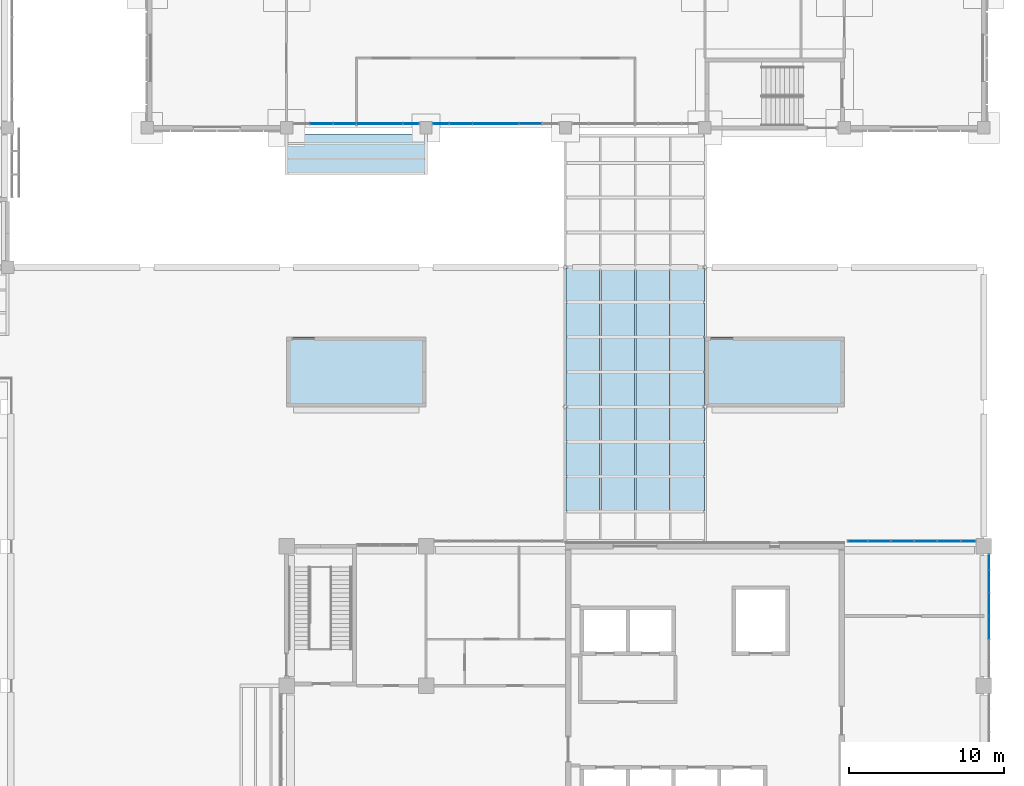
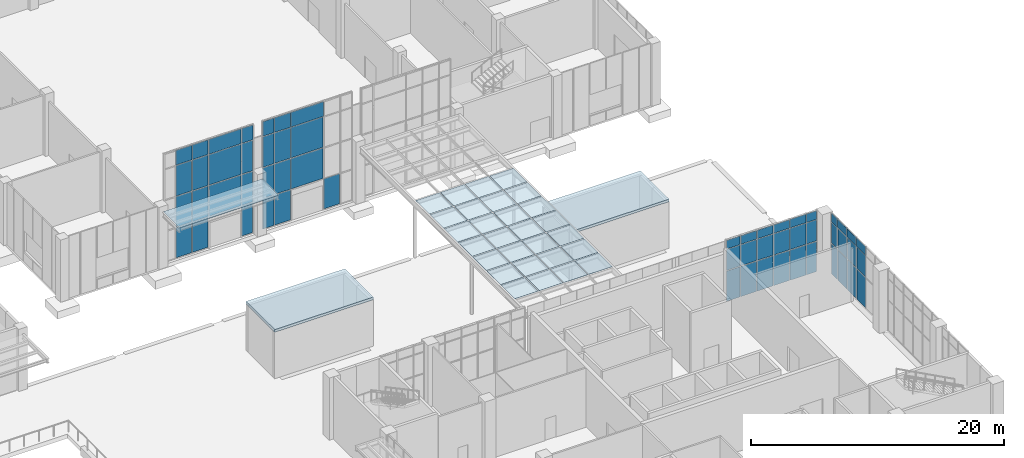
# One storey, part 48 of 86: 86 plates, 2 slabs, 4 elements without a shape of their own.
"""IFC4 building model written with IfcOpenShell, lengths in metres."""

from ifc_helpers import new_model, si_unit, direction, frame, origin, origin_2d, place, context, subcontext, project, spatial, polyline, rectangle, outline, extrude, material, layer, layer_set, type_object, element, aggregate, save


model = new_model("IFC4")

# Units and contexts
model_context = context("Model", 3, precision=1e-05, world=origin(), true_north=direction((0.0, 1.0)))
body_context = subcontext(model_context, "Body", "Model", "MODEL_VIEW")
ifc_project = project(units=[si_unit("LENGTHUNIT", "METRE"), si_unit("AREAUNIT", "SQUARE_METRE"), si_unit("VOLUMEUNIT", "CUBIC_METRE"), si_unit("PLANEANGLEUNIT", "RADIAN"), si_unit("MASSUNIT", "GRAM", prefix="KILO")], contexts=[model_context])

# Site, building, storey
site_placement = place(None, origin())
site = spatial("IfcSite", under=ifc_project, at=site_placement, CompositionType="ELEMENT")
building_placement = place(site_placement, origin())
building = spatial("IfcBuilding", under=site, at=building_placement, Name="Guidao Yard Department Store", CompositionType="ELEMENT")
storey_placement = place(building_placement, origin())
storey = spatial("IfcBuildingStorey", under=building, at=storey_placement, Name="L00", CompositionType="ELEMENT", Elevation=0.0)

# Plates
ifc_material_1 = material(Name="Laminated glass", Category="glass")
ifc_layer_1 = layer(ifc_material_1, 0.021484375)
ifc_layer_set_1 = layer_set([ifc_layer_1], Name="Canopy glass CG1 laminated 10+10")
plate_type_1 = type_object("IfcPlateType", Name="Canopy glass CG1 laminated 10+10", PredefinedType="SHEET", material=ifc_layer_set_1)
plate_1_placement = place(storey_placement, frame((130.5, 52.300048828125, 5.449951171875), z_axis=(0.0, 0.0, 1.0), x_axis=(1.0, 0.0, 0.0)))
element("IfcPlate", 1, at=plate_1_placement, inside=storey, type_object=plate_type_1, Name="Food hall canopy glazing 1.1", PredefinedType="SHEET", context=body_context, shape_type="SweptSolid", body=[
    extrude(rectangle(XDim=8.989990234375, YDim=2.60009765625, at=origin_2d()), origin(), (0.0, 0.0, 1.0), 0.021484375),
])
for number, where, z_axis, x_axis, name in (
    (2, (145.125, 30.375, 5.449951171875), (0.0, 0.0, 1.0), (1.0, 0.0, 0.0), "Yard walkway glazing 1.2"),
    (3, (145.125, 32.625, 5.449951171875), (0.0, 0.0, 1.0), (1.0, 0.0, 0.0), "Yard walkway glazing 1.3"),
    (4, (145.125, 34.875, 5.449951171875), (0.0, 0.0, 1.0), (1.0, 0.0, 0.0), "Yard walkway glazing 1.4"),
    (5, (145.125, 37.125, 5.449951171875), (0.0, 0.0, 1.0), (1.0, 0.0, 0.0), "Yard walkway glazing 1.5"),
    (6, (145.125, 39.375, 5.449951171875), (0.0, 0.0, 1.0), (1.0, 0.0, 0.0), "Yard walkway glazing 1.6"),
    (7, (145.125, 41.625, 5.449951171875), (0.0, 0.0, 1.0), (1.0, 0.0, 0.0), "Yard walkway glazing 1.7"),
    (8, (145.125, 43.875, 5.449951171875), (0.0, 0.0, 1.0), (1.0, 0.0, 0.0), "Yard walkway glazing 1.8"),
    (9, (147.375, 30.375, 5.449951171875), (0.0, 0.0, 1.0), (1.0, 0.0, 0.0), "Yard walkway glazing 2.2"),
    (10, (147.375, 32.625, 5.449951171875), (0.0, 0.0, 1.0), (1.0, 0.0, 0.0), "Yard walkway glazing 2.3"),
    (11, (147.375, 34.875, 5.449951171875), (0.0, 0.0, 1.0), (1.0, 0.0, 0.0), "Yard walkway glazing 2.4"),
    (12, (147.375, 37.125, 5.449951171875), (0.0, 0.0, 1.0), (1.0, 0.0, 0.0), "Yard walkway glazing 2.5"),
    (13, (147.375, 39.375, 5.449951171875), (0.0, 0.0, 1.0), (1.0, 0.0, 0.0), "Yard walkway glazing 2.6"),
    (14, (147.375, 41.625, 5.449951171875), (0.0, 0.0, 1.0), (1.0, 0.0, 0.0), "Yard walkway glazing 2.7"),
    (15, (147.375, 43.875, 5.449951171875), (0.0, 0.0, 1.0), (1.0, 0.0, 0.0), "Yard walkway glazing 2.8"),
    (16, (149.625, 30.375, 5.449951171875), (0.0, 0.0, 1.0), (1.0, 0.0, 0.0), "Yard walkway glazing 3.2"),
    (17, (149.625, 32.625, 5.449951171875), (0.0, 0.0, 1.0), (1.0, 0.0, 0.0), "Yard walkway glazing 3.3"),
    (18, (149.625, 34.875, 5.449951171875), (0.0, 0.0, 1.0), (1.0, 0.0, 0.0), "Yard walkway glazing 3.4"),
    (19, (149.625, 37.125, 5.449951171875), (0.0, 0.0, 1.0), (1.0, 0.0, 0.0), "Yard walkway glazing 3.5"),
    (20, (149.625, 39.375, 5.449951171875), (0.0, 0.0, 1.0), (1.0, 0.0, 0.0), "Yard walkway glazing 3.6"),
    (21, (149.625, 41.625, 5.449951171875), (0.0, 0.0, 1.0), (1.0, 0.0, 0.0), "Yard walkway glazing 3.7"),
    (22, (149.625, 43.875, 5.449951171875), (0.0, 0.0, 1.0), (1.0, 0.0, 0.0), "Yard walkway glazing 3.8"),
    (23, (151.875, 30.375, 5.449951171875), (0.0, 0.0, 1.0), (1.0, 0.0, 0.0), "Yard walkway glazing 4.2"),
    (24, (151.875, 32.625, 5.449951171875), (0.0, 0.0, 1.0), (1.0, 0.0, 0.0), "Yard walkway glazing 4.3"),
    (25, (151.875, 34.875, 5.449951171875), (0.0, 0.0, 1.0), (1.0, 0.0, 0.0), "Yard walkway glazing 4.4"),
    (26, (151.875, 37.125, 5.449951171875), (0.0, 0.0, 1.0), (1.0, 0.0, 0.0), "Yard walkway glazing 4.5"),
    (27, (151.875, 39.375, 5.449951171875), (0.0, 0.0, 1.0), (1.0, 0.0, 0.0), "Yard walkway glazing 4.6"),
    (28, (151.875, 41.625, 5.449951171875), (0.0, 0.0, 1.0), (1.0, 0.0, 0.0), "Yard walkway glazing 4.7"),
    (29, (151.875, 43.875, 5.449951171875), (0.0, 0.0, 1.0), (1.0, 0.0, 0.0), "Yard walkway glazing 4.8"),
):
    element("IfcPlate", number, at=place(storey_placement, frame(where, z_axis=z_axis, x_axis=x_axis)), inside=storey, type_object=plate_type_1, Name=name, PredefinedType="SHEET", context=body_context, shape_type="SweptSolid", body=[
        extrude(rectangle(XDim=2.169921875, YDim=2.169921875, at=origin_2d()), origin(), (0.0, 0.0, 1.0), 0.021484375),
    ])

# Slabs
ifc_material_2 = material(Name="Concrete C35", Category="concrete")
ifc_layer_2 = layer(ifc_material_2, 0.25)
ifc_layer_set_2 = layer_set([ifc_layer_2], Name="Roof slab RC 250 C35 head house")
slab_type = type_object("IfcSlabType", Name="Roof slab RC 250 C35 head house", PredefinedType="ROOF", material=ifc_layer_set_2)
slab_1_placement = place(storey_placement, frame((0.0, 0.0, 4.5)))
element("IfcSlab", 30, at=slab_1_placement, inside=storey, type_object=slab_type, Name="Basement stair Y1 head roof", PredefinedType="ROOF", context=body_context, shape_type="SweptSolid", body=[
    extrude(outline(polyline([(126.0, 36.0), (135.0, 36.0), (135.0, 40.5), (126.0, 40.5), (126.0, 36.0)])), origin(), (0.0, 0.0, 1.0), 0.25),
])
slab_2_placement = place(storey_placement, frame((0.0, 0.0, 4.5)))
element("IfcSlab", 31, at=slab_2_placement, inside=storey, type_object=slab_type, Name="Basement stair Y2 head roof", PredefinedType="ROOF", context=body_context, shape_type="SweptSolid", body=[
    extrude(outline(polyline([(153.0, 36.0), (162.0, 36.0), (162.0, 40.5), (153.0, 40.5), (153.0, 36.0)])), origin(), (0.0, 0.0, 1.0), 0.25),
])

# Curtain wall, plates
ifc_material_3 = material(Name="Stainless steel and glass", Category="steel")
ifc_layer_3 = layer(ifc_material_3, 0.159912109375)
ifc_layer_set_3 = layer_set([ifc_layer_3], Name="Food hall front curtain wall CW3 1500 module")
curtain_wall_type_1 = type_object("IfcCurtainWallType", Name="Food hall front curtain wall CW3 1500 module", PredefinedType="NOTDEFINED", material=ifc_layer_set_3)
curtain_wall_1_placement = place(storey_placement, origin())
curtain_wall_1 = element("IfcCurtainWall", 32, at=curtain_wall_1_placement, inside=storey, type_object=curtain_wall_type_1, Name="Food hall front curtain wall", PredefinedType="NOTDEFINED")
ifc_material_4 = material(Name="Aluminium 6063-T5 faced insulated spandrel", Category="aluminium")
ifc_layer_4 = layer(ifc_material_4, 0.06005859375)
ifc_layer_set_4 = layer_set([ifc_layer_4], Name="Spandrel panel SP1 insulated opaque")
plate_type_2 = type_object("IfcPlateType", Name="Spandrel panel SP1 insulated opaque", PredefinedType="CURTAIN_PANEL", material=ifc_layer_set_4)
plate_2_placement = place(storey_placement, frame((128.25, 54.280029296875, 9.0302734375), z_axis=(0.0, 0.0, 1.0), x_axis=(-1.0, 0.0, 0.0)))
plate_2 = element("IfcPlate", 33, at=plate_2_placement, type_object=plate_type_2, Name="CW-FH-L00-01 panel 2.4", PredefinedType="CURTAIN_PANEL", context=body_context, shape_type="SweptSolid", body=[
    extrude(rectangle(XDim=1.43994140625, YDim=0.06005859375, at=origin_2d()), origin(), (0.0, 0.0, 1.0), 1.409912109375),
])
plate_3_placement = place(storey_placement, frame((129.75, 54.280029296875, 9.0302734375), z_axis=(0.0, 0.0, 1.0), x_axis=(-1.0, 0.0, 0.0)))
plate_3 = element("IfcPlate", 34, at=plate_3_placement, type_object=plate_type_2, Name="CW-FH-L00-01 panel 3.4", PredefinedType="CURTAIN_PANEL", context=body_context, shape_type="SweptSolid", body=[
    extrude(rectangle(XDim=1.43994140625, YDim=0.06005859375, at=origin_2d()), origin(), (0.0, 0.0, 1.0), 1.409912109375),
])
plate_4_placement = place(storey_placement, frame((132.0, 54.280029296875, 9.0302734375), z_axis=(0.0, 0.0, 1.0), x_axis=(-1.0, 0.0, 0.0)))
plate_4 = element("IfcPlate", 35, at=plate_4_placement, type_object=plate_type_2, Name="CW-FH-L00-01 panel 4.4", PredefinedType="CURTAIN_PANEL", context=body_context, shape_type="SweptSolid", body=[
    extrude(rectangle(XDim=2.93994140625, YDim=0.06005859375, at=origin_2d()), origin(), (0.0, 0.0, 1.0), 1.409912109375),
])
plate_5_placement = place(storey_placement, frame((134.034912109375, 54.280029296875, 9.0302734375), z_axis=(0.0, 0.0, 1.0), x_axis=(-1.0, 0.0, 0.0)))
plate_5 = element("IfcPlate", 36, at=plate_5_placement, type_object=plate_type_2, Name="CW-FH-L00-01 panel 5.4", PredefinedType="CURTAIN_PANEL", context=body_context, shape_type="SweptSolid", body=[
    extrude(rectangle(XDim=1.010009765625, YDim=0.06005859375, at=origin_2d()), origin(), (0.0, 0.0, 1.0), 1.409912109375),
])

curtain_wall_2_placement = place(storey_placement, origin())
curtain_wall_2 = element("IfcCurtainWall", 37, at=curtain_wall_2_placement, inside=storey, type_object=curtain_wall_type_1, Name="Food hall front curtain wall", PredefinedType="NOTDEFINED")
plate_6_placement = place(storey_placement, frame((135.965087890625, 54.280029296875, 9.0302734375), z_axis=(0.0, 0.0, 1.0), x_axis=(-1.0, 0.0, 0.0)))
plate_6 = element("IfcPlate", 38, at=plate_6_placement, type_object=plate_type_2, Name="CW-FH-L00-02 panel 1.4", PredefinedType="CURTAIN_PANEL", context=body_context, shape_type="SweptSolid", body=[
    extrude(rectangle(XDim=1.010009765625, YDim=0.06005859375, at=origin_2d()), origin(), (0.0, 0.0, 1.0), 1.409912109375),
])
plate_7_placement = place(storey_placement, frame((137.25, 54.280029296875, 9.0302734375), z_axis=(0.0, 0.0, 1.0), x_axis=(-1.0, 0.0, 0.0)))
plate_7 = element("IfcPlate", 39, at=plate_7_placement, type_object=plate_type_2, Name="CW-FH-L00-02 panel 2.4", PredefinedType="CURTAIN_PANEL", context=body_context, shape_type="SweptSolid", body=[
    extrude(rectangle(XDim=1.43994140625, YDim=0.06005859375, at=origin_2d()), origin(), (0.0, 0.0, 1.0), 1.409912109375),
])
plate_8_placement = place(storey_placement, frame((139.5, 54.280029296875, 9.0302734375), z_axis=(0.0, 0.0, 1.0), x_axis=(-1.0, 0.0, 0.0)))
plate_8 = element("IfcPlate", 40, at=plate_8_placement, type_object=plate_type_2, Name="CW-FH-L00-02 panel 3.4", PredefinedType="CURTAIN_PANEL", context=body_context, shape_type="SweptSolid", body=[
    extrude(rectangle(XDim=2.93994140625, YDim=0.06005859375, at=origin_2d()), origin(), (0.0, 0.0, 1.0), 1.409912109375),
])

ifc_material_5 = material(Name="Aluminium and glass", Category="aluminium")
ifc_layer_5 = layer(ifc_material_5, 0.159912109375)
ifc_layer_set_5 = layer_set([ifc_layer_5], Name="Unitised curtain wall CW4 1500 module")
curtain_wall_type_2 = type_object("IfcCurtainWallType", Name="Unitised curtain wall CW4 1500 module", PredefinedType="NOTDEFINED", material=ifc_layer_set_5)
curtain_wall_3_placement = place(storey_placement, origin())
curtain_wall_3 = element("IfcCurtainWall", 41, at=curtain_wall_3_placement, inside=storey, type_object=curtain_wall_type_2, Name="Unitised curtain wall", PredefinedType="NOTDEFINED")
plate_9_placement = place(storey_placement, frame((162.8525390625, 27.330078125, 5.1298828125), z_axis=(0.0, 0.0, 1.0), x_axis=(1.0, 0.0, 0.0)))
plate_9 = element("IfcPlate", 42, at=plate_9_placement, type_object=plate_type_2, Name="CW-OW-L00-07 panel 1.3", PredefinedType="CURTAIN_PANEL", context=body_context, shape_type="SweptSolid", body=[
    extrude(rectangle(XDim=1.235107421875, YDim=0.06005859375, at=origin_2d()), origin(), (0.0, 0.0, 1.0), 0.81005859375),
])
plate_10_placement = place(storey_placement, frame((164.25, 27.330078125, 5.1298828125), z_axis=(0.0, 0.0, 1.0), x_axis=(1.0, 0.0, 0.0)))
plate_10 = element("IfcPlate", 43, at=plate_10_placement, type_object=plate_type_2, Name="CW-OW-L00-07 panel 2.3", PredefinedType="CURTAIN_PANEL", context=body_context, shape_type="SweptSolid", body=[
    extrude(rectangle(XDim=1.43994140625, YDim=0.06005859375, at=origin_2d()), origin(), (0.0, 0.0, 1.0), 0.81005859375),
])
plate_11_placement = place(storey_placement, frame((165.75, 27.330078125, 5.1298828125), z_axis=(0.0, 0.0, 1.0), x_axis=(1.0, 0.0, 0.0)))
plate_11 = element("IfcPlate", 44, at=plate_11_placement, type_object=plate_type_2, Name="CW-OW-L00-07 panel 3.3", PredefinedType="CURTAIN_PANEL", context=body_context, shape_type="SweptSolid", body=[
    extrude(rectangle(XDim=1.43994140625, YDim=0.06005859375, at=origin_2d()), origin(), (0.0, 0.0, 1.0), 0.81005859375),
])
plate_12_placement = place(storey_placement, frame((167.25, 27.330078125, 5.1298828125), z_axis=(0.0, 0.0, 1.0), x_axis=(1.0, 0.0, 0.0)))
plate_12 = element("IfcPlate", 45, at=plate_12_placement, type_object=plate_type_2, Name="CW-OW-L00-07 panel 4.3", PredefinedType="CURTAIN_PANEL", context=body_context, shape_type="SweptSolid", body=[
    extrude(rectangle(XDim=1.43994140625, YDim=0.06005859375, at=origin_2d()), origin(), (0.0, 0.0, 1.0), 0.81005859375),
])
plate_13_placement = place(storey_placement, frame((168.75, 27.330078125, 5.1298828125), z_axis=(0.0, 0.0, 1.0), x_axis=(1.0, 0.0, 0.0)))
plate_13 = element("IfcPlate", 46, at=plate_13_placement, type_object=plate_type_2, Name="CW-OW-L00-07 panel 5.3", PredefinedType="CURTAIN_PANEL", context=body_context, shape_type="SweptSolid", body=[
    extrude(rectangle(XDim=1.43994140625, YDim=0.06005859375, at=origin_2d()), origin(), (0.0, 0.0, 1.0), 0.81005859375),
])
plate_14_placement = place(storey_placement, frame((169.985107421875, 27.330078125, 5.1298828125), z_axis=(0.0, 0.0, 1.0), x_axis=(1.0, 0.0, 0.0)))
plate_14 = element("IfcPlate", 47, at=plate_14_placement, type_object=plate_type_2, Name="CW-OW-L00-07 panel 6.3", PredefinedType="CURTAIN_PANEL", context=body_context, shape_type="SweptSolid", body=[
    extrude(rectangle(XDim=0.909912109375, YDim=0.06005859375, at=origin_2d()), origin(), (0.0, 0.0, 1.0), 0.81005859375),
])

curtain_wall_4_placement = place(storey_placement, origin())
curtain_wall_4 = element("IfcCurtainWall", 48, at=curtain_wall_4_placement, inside=storey, type_object=curtain_wall_type_2, Name="Unitised curtain wall", PredefinedType="NOTDEFINED")
plate_15_placement = place(storey_placement, frame((171.330078125, 21.75, 5.1298828125), z_axis=(0.0, 0.0, 1.0), x_axis=(0.0, -1.0, 0.0)))
plate_15 = element("IfcPlate", 49, at=plate_15_placement, type_object=plate_type_2, Name="CW-OW-L00-10 panel 3.3", PredefinedType="CURTAIN_PANEL", context=body_context, shape_type="SweptSolid", body=[
    extrude(rectangle(XDim=1.43994140625, YDim=0.06005859375, at=origin_2d()), origin(), (0.0, 0.0, 1.0), 0.81005859375),
])
plate_16_placement = place(storey_placement, frame((171.330078125, 23.25, 5.1298828125), z_axis=(0.0, 0.0, 1.0), x_axis=(0.0, -1.0, 0.0)))
plate_16 = element("IfcPlate", 50, at=plate_16_placement, type_object=plate_type_2, Name="CW-OW-L00-10 panel 4.3", PredefinedType="CURTAIN_PANEL", context=body_context, shape_type="SweptSolid", body=[
    extrude(rectangle(XDim=1.43994140625, YDim=0.06005859375, at=origin_2d()), origin(), (0.0, 0.0, 1.0), 0.81005859375),
])
plate_17_placement = place(storey_placement, frame((171.330078125, 24.75, 5.1298828125), z_axis=(0.0, 0.0, 1.0), x_axis=(0.0, -1.0, 0.0)))
plate_17 = element("IfcPlate", 51, at=plate_17_placement, type_object=plate_type_2, Name="CW-OW-L00-10 panel 5.3", PredefinedType="CURTAIN_PANEL", context=body_context, shape_type="SweptSolid", body=[
    extrude(rectangle(XDim=1.43994140625, YDim=0.06005859375, at=origin_2d()), origin(), (0.0, 0.0, 1.0), 0.81005859375),
])
plate_18_placement = place(storey_placement, frame((171.330078125, 25.985107421875, 5.1298828125), z_axis=(0.0, 0.0, 1.0), x_axis=(0.0, -1.0, 0.0)))
plate_18 = element("IfcPlate", 52, at=plate_18_placement, type_object=plate_type_2, Name="CW-OW-L00-10 panel 6.3", PredefinedType="CURTAIN_PANEL", context=body_context, shape_type="SweptSolid", body=[
    extrude(rectangle(XDim=0.909912109375, YDim=0.06005859375, at=origin_2d()), origin(), (0.0, 0.0, 1.0), 0.81005859375),
])

# Plate
ifc_material_6 = material(Name="Laminated heat-soaked tempered glass", Category="glass")
ifc_layer_6 = layer(ifc_material_6, 0.017578125)
ifc_layer_set_6 = layer_set([ifc_layer_6], Name="Vision glass VG1 laminated heat-soaked tempered 8+8")
plate_type_3 = type_object("IfcPlateType", Name="Vision glass VG1 laminated heat-soaked tempered 8+8", PredefinedType="CURTAIN_PANEL", material=ifc_layer_set_6)
plate_19_placement = place(storey_placement, frame((128.25, 54.280029296875, 0.06005859375), z_axis=(0.0, 0.0, 1.0), x_axis=(-1.0, 0.0, 0.0)))
plate_19 = element("IfcPlate", 53, at=plate_19_placement, type_object=plate_type_3, Name="CW-FH-L00-01 panel 2.1", PredefinedType="CURTAIN_PANEL", context=body_context, shape_type="SweptSolid", body=[
    extrude(rectangle(XDim=1.43994140625, YDim=0.017578125, at=origin_2d()), origin(), (0.0, 0.0, 1.0), 2.909912109375),
])

plate_20_placement = place(storey_placement, frame((128.25, 54.280029296875, 3.030029296875), z_axis=(0.0, 0.0, 1.0), x_axis=(-1.0, 0.0, 0.0)))
plate_20 = element("IfcPlate", 54, at=plate_20_placement, type_object=plate_type_3, Name="CW-FH-L00-01 panel 2.2", PredefinedType="CURTAIN_PANEL", context=body_context, shape_type="SweptSolid", body=[
    extrude(rectangle(XDim=1.43994140625, YDim=0.017578125, at=origin_2d()), origin(), (0.0, 0.0, 1.0), 2.93994140625),
])

plate_21_placement = place(storey_placement, frame((128.25, 54.280029296875, 6.030029296875), z_axis=(0.0, 0.0, 1.0), x_axis=(-1.0, 0.0, 0.0)))
plate_21 = element("IfcPlate", 55, at=plate_21_placement, type_object=plate_type_3, Name="CW-FH-L00-01 panel 2.3", PredefinedType="CURTAIN_PANEL", context=body_context, shape_type="SweptSolid", body=[
    extrude(rectangle(XDim=1.43994140625, YDim=0.017578125, at=origin_2d()), origin(), (0.0, 0.0, 1.0), 2.93994140625),
])

plate_22_placement = place(storey_placement, frame((129.75, 54.280029296875, 0.06005859375), z_axis=(0.0, 0.0, 1.0), x_axis=(-1.0, 0.0, 0.0)))
plate_22 = element("IfcPlate", 56, at=plate_22_placement, type_object=plate_type_3, Name="CW-FH-L00-01 panel 3.1", PredefinedType="CURTAIN_PANEL", context=body_context, shape_type="SweptSolid", body=[
    extrude(rectangle(XDim=1.43994140625, YDim=0.017578125, at=origin_2d()), origin(), (0.0, 0.0, 1.0), 2.909912109375),
])

plate_23_placement = place(storey_placement, frame((129.75, 54.280029296875, 3.030029296875), z_axis=(0.0, 0.0, 1.0), x_axis=(-1.0, 0.0, 0.0)))
plate_23 = element("IfcPlate", 57, at=plate_23_placement, type_object=plate_type_3, Name="CW-FH-L00-01 panel 3.2", PredefinedType="CURTAIN_PANEL", context=body_context, shape_type="SweptSolid", body=[
    extrude(rectangle(XDim=1.43994140625, YDim=0.017578125, at=origin_2d()), origin(), (0.0, 0.0, 1.0), 2.93994140625),
])

plate_24_placement = place(storey_placement, frame((129.75, 54.280029296875, 6.030029296875), z_axis=(0.0, 0.0, 1.0), x_axis=(-1.0, 0.0, 0.0)))
plate_24 = element("IfcPlate", 58, at=plate_24_placement, type_object=plate_type_3, Name="CW-FH-L00-01 panel 3.3", PredefinedType="CURTAIN_PANEL", context=body_context, shape_type="SweptSolid", body=[
    extrude(rectangle(XDim=1.43994140625, YDim=0.017578125, at=origin_2d()), origin(), (0.0, 0.0, 1.0), 2.93994140625),
])

plate_25_placement = place(storey_placement, frame((132.0, 54.280029296875, 3.030029296875), z_axis=(0.0, 0.0, 1.0), x_axis=(-1.0, 0.0, 0.0)))
plate_25 = element("IfcPlate", 59, at=plate_25_placement, type_object=plate_type_3, Name="CW-FH-L00-01 panel 4.2", PredefinedType="CURTAIN_PANEL", context=body_context, shape_type="SweptSolid", body=[
    extrude(rectangle(XDim=2.93994140625, YDim=0.017578125, at=origin_2d()), origin(), (0.0, 0.0, 1.0), 2.93994140625),
])

plate_26_placement = place(storey_placement, frame((132.0, 54.280029296875, 6.030029296875), z_axis=(0.0, 0.0, 1.0), x_axis=(-1.0, 0.0, 0.0)))
plate_26 = element("IfcPlate", 60, at=plate_26_placement, type_object=plate_type_3, Name="CW-FH-L00-01 panel 4.3", PredefinedType="CURTAIN_PANEL", context=body_context, shape_type="SweptSolid", body=[
    extrude(rectangle(XDim=2.93994140625, YDim=0.017578125, at=origin_2d()), origin(), (0.0, 0.0, 1.0), 2.93994140625),
])

plate_27_placement = place(storey_placement, frame((134.034912109375, 54.280029296875, 0.06005859375), z_axis=(0.0, 0.0, 1.0), x_axis=(-1.0, 0.0, 0.0)))
plate_27 = element("IfcPlate", 61, at=plate_27_placement, type_object=plate_type_3, Name="CW-FH-L00-01 panel 5.1", PredefinedType="CURTAIN_PANEL", context=body_context, shape_type="SweptSolid", body=[
    extrude(rectangle(XDim=1.010009765625, YDim=0.017578125, at=origin_2d()), origin(), (0.0, 0.0, 1.0), 2.909912109375),
])

plate_28_placement = place(storey_placement, frame((134.034912109375, 54.280029296875, 3.030029296875), z_axis=(0.0, 0.0, 1.0), x_axis=(-1.0, 0.0, 0.0)))
plate_28 = element("IfcPlate", 62, at=plate_28_placement, type_object=plate_type_3, Name="CW-FH-L00-01 panel 5.2", PredefinedType="CURTAIN_PANEL", context=body_context, shape_type="SweptSolid", body=[
    extrude(rectangle(XDim=1.010009765625, YDim=0.017578125, at=origin_2d()), origin(), (0.0, 0.0, 1.0), 2.93994140625),
])

plate_29_placement = place(storey_placement, frame((134.034912109375, 54.280029296875, 6.030029296875), z_axis=(0.0, 0.0, 1.0), x_axis=(-1.0, 0.0, 0.0)))
plate_29 = element("IfcPlate", 63, at=plate_29_placement, type_object=plate_type_3, Name="CW-FH-L00-01 panel 5.3", PredefinedType="CURTAIN_PANEL", context=body_context, shape_type="SweptSolid", body=[
    extrude(rectangle(XDim=1.010009765625, YDim=0.017578125, at=origin_2d()), origin(), (0.0, 0.0, 1.0), 2.93994140625),
])

aggregate(curtain_wall_1, [plate_19, plate_20, plate_21, plate_2, plate_22, plate_23, plate_24, plate_3, plate_25, plate_26, plate_4, plate_27, plate_28, plate_29, plate_5])

plate_30_placement = place(storey_placement, frame((135.965087890625, 54.280029296875, 0.06005859375), z_axis=(0.0, 0.0, 1.0), x_axis=(-1.0, 0.0, 0.0)))
plate_30 = element("IfcPlate", 64, at=plate_30_placement, type_object=plate_type_3, Name="CW-FH-L00-02 panel 1.1", PredefinedType="CURTAIN_PANEL", context=body_context, shape_type="SweptSolid", body=[
    extrude(rectangle(XDim=1.010009765625, YDim=0.017578125, at=origin_2d()), origin(), (0.0, 0.0, 1.0), 2.909912109375),
])

plate_31_placement = place(storey_placement, frame((135.965087890625, 54.280029296875, 3.030029296875), z_axis=(0.0, 0.0, 1.0), x_axis=(-1.0, 0.0, 0.0)))
plate_31 = element("IfcPlate", 65, at=plate_31_placement, type_object=plate_type_3, Name="CW-FH-L00-02 panel 1.2", PredefinedType="CURTAIN_PANEL", context=body_context, shape_type="SweptSolid", body=[
    extrude(rectangle(XDim=1.010009765625, YDim=0.017578125, at=origin_2d()), origin(), (0.0, 0.0, 1.0), 2.93994140625),
])

plate_32_placement = place(storey_placement, frame((135.965087890625, 54.280029296875, 6.030029296875), z_axis=(0.0, 0.0, 1.0), x_axis=(-1.0, 0.0, 0.0)))
plate_32 = element("IfcPlate", 66, at=plate_32_placement, type_object=plate_type_3, Name="CW-FH-L00-02 panel 1.3", PredefinedType="CURTAIN_PANEL", context=body_context, shape_type="SweptSolid", body=[
    extrude(rectangle(XDim=1.010009765625, YDim=0.017578125, at=origin_2d()), origin(), (0.0, 0.0, 1.0), 2.93994140625),
])

plate_33_placement = place(storey_placement, frame((137.25, 54.280029296875, 0.06005859375), z_axis=(0.0, 0.0, 1.0), x_axis=(-1.0, 0.0, 0.0)))
plate_33 = element("IfcPlate", 67, at=plate_33_placement, type_object=plate_type_3, Name="CW-FH-L00-02 panel 2.1", PredefinedType="CURTAIN_PANEL", context=body_context, shape_type="SweptSolid", body=[
    extrude(rectangle(XDim=1.43994140625, YDim=0.017578125, at=origin_2d()), origin(), (0.0, 0.0, 1.0), 2.909912109375),
])

plate_34_placement = place(storey_placement, frame((137.25, 54.280029296875, 3.030029296875), z_axis=(0.0, 0.0, 1.0), x_axis=(-1.0, 0.0, 0.0)))
plate_34 = element("IfcPlate", 68, at=plate_34_placement, type_object=plate_type_3, Name="CW-FH-L00-02 panel 2.2", PredefinedType="CURTAIN_PANEL", context=body_context, shape_type="SweptSolid", body=[
    extrude(rectangle(XDim=1.43994140625, YDim=0.017578125, at=origin_2d()), origin(), (0.0, 0.0, 1.0), 2.93994140625),
])

plate_35_placement = place(storey_placement, frame((137.25, 54.280029296875, 6.030029296875), z_axis=(0.0, 0.0, 1.0), x_axis=(-1.0, 0.0, 0.0)))
plate_35 = element("IfcPlate", 69, at=plate_35_placement, type_object=plate_type_3, Name="CW-FH-L00-02 panel 2.3", PredefinedType="CURTAIN_PANEL", context=body_context, shape_type="SweptSolid", body=[
    extrude(rectangle(XDim=1.43994140625, YDim=0.017578125, at=origin_2d()), origin(), (0.0, 0.0, 1.0), 2.93994140625),
])

plate_36_placement = place(storey_placement, frame((139.5, 54.280029296875, 3.030029296875), z_axis=(0.0, 0.0, 1.0), x_axis=(-1.0, 0.0, 0.0)))
plate_36 = element("IfcPlate", 70, at=plate_36_placement, type_object=plate_type_3, Name="CW-FH-L00-02 panel 3.2", PredefinedType="CURTAIN_PANEL", context=body_context, shape_type="SweptSolid", body=[
    extrude(rectangle(XDim=2.93994140625, YDim=0.017578125, at=origin_2d()), origin(), (0.0, 0.0, 1.0), 2.93994140625),
])

plate_37_placement = place(storey_placement, frame((139.5, 54.280029296875, 6.030029296875), z_axis=(0.0, 0.0, 1.0), x_axis=(-1.0, 0.0, 0.0)))
plate_37 = element("IfcPlate", 71, at=plate_37_placement, type_object=plate_type_3, Name="CW-FH-L00-02 panel 3.3", PredefinedType="CURTAIN_PANEL", context=body_context, shape_type="SweptSolid", body=[
    extrude(rectangle(XDim=2.93994140625, YDim=0.017578125, at=origin_2d()), origin(), (0.0, 0.0, 1.0), 2.93994140625),
])

plate_38_placement = place(storey_placement, frame((141.75, 54.280029296875, 0.06005859375), z_axis=(0.0, 0.0, 1.0), x_axis=(-1.0, 0.0, 0.0)))
plate_38 = element("IfcPlate", 72, at=plate_38_placement, type_object=plate_type_3, Name="CW-FH-L00-02 panel 4.1", PredefinedType="CURTAIN_PANEL", context=body_context, shape_type="SweptSolid", body=[
    extrude(rectangle(XDim=1.43994140625, YDim=0.017578125, at=origin_2d()), origin(), (0.0, 0.0, 1.0), 2.909912109375),
])

aggregate(curtain_wall_2, [plate_30, plate_31, plate_32, plate_6, plate_33, plate_34, plate_35, plate_7, plate_36, plate_37, plate_8, plate_38])

plate_39_placement = place(storey_placement, frame((162.8525390625, 27.330078125, 0.06005859375), z_axis=(0.0, 0.0, 1.0), x_axis=(1.0, 0.0, 0.0)))
plate_39 = element("IfcPlate", 73, at=plate_39_placement, type_object=plate_type_3, Name="CW-OW-L00-07 panel 1.1", PredefinedType="CURTAIN_PANEL", context=body_context, shape_type="SweptSolid", body=[
    extrude(rectangle(XDim=1.235107421875, YDim=0.017578125, at=origin_2d()), origin(), (0.0, 0.0, 1.0), 2.909912109375),
])

plate_40_placement = place(storey_placement, frame((162.8525390625, 27.330078125, 3.030029296875), z_axis=(0.0, 0.0, 1.0), x_axis=(1.0, 0.0, 0.0)))
plate_40 = element("IfcPlate", 74, at=plate_40_placement, type_object=plate_type_3, Name="CW-OW-L00-07 panel 1.2", PredefinedType="CURTAIN_PANEL", context=body_context, shape_type="SweptSolid", body=[
    extrude(rectangle(XDim=1.235107421875, YDim=0.017578125, at=origin_2d()), origin(), (0.0, 0.0, 1.0), 2.0400390625),
])

plate_41_placement = place(storey_placement, frame((164.25, 27.330078125, 0.06005859375), z_axis=(0.0, 0.0, 1.0), x_axis=(1.0, 0.0, 0.0)))
plate_41 = element("IfcPlate", 75, at=plate_41_placement, type_object=plate_type_3, Name="CW-OW-L00-07 panel 2.1", PredefinedType="CURTAIN_PANEL", context=body_context, shape_type="SweptSolid", body=[
    extrude(rectangle(XDim=1.43994140625, YDim=0.017578125, at=origin_2d()), origin(), (0.0, 0.0, 1.0), 2.909912109375),
])

plate_42_placement = place(storey_placement, frame((164.25, 27.330078125, 3.030029296875), z_axis=(0.0, 0.0, 1.0), x_axis=(1.0, 0.0, 0.0)))
plate_42 = element("IfcPlate", 76, at=plate_42_placement, type_object=plate_type_3, Name="CW-OW-L00-07 panel 2.2", PredefinedType="CURTAIN_PANEL", context=body_context, shape_type="SweptSolid", body=[
    extrude(rectangle(XDim=1.43994140625, YDim=0.017578125, at=origin_2d()), origin(), (0.0, 0.0, 1.0), 2.0400390625),
])

plate_43_placement = place(storey_placement, frame((165.75, 27.330078125, 0.06005859375), z_axis=(0.0, 0.0, 1.0), x_axis=(1.0, 0.0, 0.0)))
plate_43 = element("IfcPlate", 77, at=plate_43_placement, type_object=plate_type_3, Name="CW-OW-L00-07 panel 3.1", PredefinedType="CURTAIN_PANEL", context=body_context, shape_type="SweptSolid", body=[
    extrude(rectangle(XDim=1.43994140625, YDim=0.017578125, at=origin_2d()), origin(), (0.0, 0.0, 1.0), 2.909912109375),
])

plate_44_placement = place(storey_placement, frame((165.75, 27.330078125, 3.030029296875), z_axis=(0.0, 0.0, 1.0), x_axis=(1.0, 0.0, 0.0)))
plate_44 = element("IfcPlate", 78, at=plate_44_placement, type_object=plate_type_3, Name="CW-OW-L00-07 panel 3.2", PredefinedType="CURTAIN_PANEL", context=body_context, shape_type="SweptSolid", body=[
    extrude(rectangle(XDim=1.43994140625, YDim=0.017578125, at=origin_2d()), origin(), (0.0, 0.0, 1.0), 2.0400390625),
])

plate_45_placement = place(storey_placement, frame((167.25, 27.330078125, 0.06005859375), z_axis=(0.0, 0.0, 1.0), x_axis=(1.0, 0.0, 0.0)))
plate_45 = element("IfcPlate", 79, at=plate_45_placement, type_object=plate_type_3, Name="CW-OW-L00-07 panel 4.1", PredefinedType="CURTAIN_PANEL", context=body_context, shape_type="SweptSolid", body=[
    extrude(rectangle(XDim=1.43994140625, YDim=0.017578125, at=origin_2d()), origin(), (0.0, 0.0, 1.0), 2.909912109375),
])

plate_46_placement = place(storey_placement, frame((167.25, 27.330078125, 3.030029296875), z_axis=(0.0, 0.0, 1.0), x_axis=(1.0, 0.0, 0.0)))
plate_46 = element("IfcPlate", 80, at=plate_46_placement, type_object=plate_type_3, Name="CW-OW-L00-07 panel 4.2", PredefinedType="CURTAIN_PANEL", context=body_context, shape_type="SweptSolid", body=[
    extrude(rectangle(XDim=1.43994140625, YDim=0.017578125, at=origin_2d()), origin(), (0.0, 0.0, 1.0), 2.0400390625),
])

plate_47_placement = place(storey_placement, frame((168.75, 27.330078125, 0.06005859375), z_axis=(0.0, 0.0, 1.0), x_axis=(1.0, 0.0, 0.0)))
plate_47 = element("IfcPlate", 81, at=plate_47_placement, type_object=plate_type_3, Name="CW-OW-L00-07 panel 5.1", PredefinedType="CURTAIN_PANEL", context=body_context, shape_type="SweptSolid", body=[
    extrude(rectangle(XDim=1.43994140625, YDim=0.017578125, at=origin_2d()), origin(), (0.0, 0.0, 1.0), 2.909912109375),
])

plate_48_placement = place(storey_placement, frame((168.75, 27.330078125, 3.030029296875), z_axis=(0.0, 0.0, 1.0), x_axis=(1.0, 0.0, 0.0)))
plate_48 = element("IfcPlate", 82, at=plate_48_placement, type_object=plate_type_3, Name="CW-OW-L00-07 panel 5.2", PredefinedType="CURTAIN_PANEL", context=body_context, shape_type="SweptSolid", body=[
    extrude(rectangle(XDim=1.43994140625, YDim=0.017578125, at=origin_2d()), origin(), (0.0, 0.0, 1.0), 2.0400390625),
])

plate_49_placement = place(storey_placement, frame((169.985107421875, 27.330078125, 0.06005859375), z_axis=(0.0, 0.0, 1.0), x_axis=(1.0, 0.0, 0.0)))
plate_49 = element("IfcPlate", 83, at=plate_49_placement, type_object=plate_type_3, Name="CW-OW-L00-07 panel 6.1", PredefinedType="CURTAIN_PANEL", context=body_context, shape_type="SweptSolid", body=[
    extrude(rectangle(XDim=0.909912109375, YDim=0.017578125, at=origin_2d()), origin(), (0.0, 0.0, 1.0), 2.909912109375),
])

plate_50_placement = place(storey_placement, frame((169.985107421875, 27.330078125, 3.030029296875), z_axis=(0.0, 0.0, 1.0), x_axis=(1.0, 0.0, 0.0)))
plate_50 = element("IfcPlate", 84, at=plate_50_placement, type_object=plate_type_3, Name="CW-OW-L00-07 panel 6.2", PredefinedType="CURTAIN_PANEL", context=body_context, shape_type="SweptSolid", body=[
    extrude(rectangle(XDim=0.909912109375, YDim=0.017578125, at=origin_2d()), origin(), (0.0, 0.0, 1.0), 2.0400390625),
])

aggregate(curtain_wall_3, [plate_39, plate_40, plate_9, plate_41, plate_42, plate_10, plate_43, plate_44, plate_11, plate_45, plate_46, plate_12, plate_47, plate_48, plate_13, plate_49, plate_50, plate_14])

plate_51_placement = place(storey_placement, frame((171.330078125, 21.75, 0.06005859375), z_axis=(0.0, 0.0, 1.0), x_axis=(0.0, -1.0, 0.0)))
plate_51 = element("IfcPlate", 85, at=plate_51_placement, type_object=plate_type_3, Name="CW-OW-L00-10 panel 3.1", PredefinedType="CURTAIN_PANEL", context=body_context, shape_type="SweptSolid", body=[
    extrude(rectangle(XDim=1.43994140625, YDim=0.017578125, at=origin_2d()), origin(), (0.0, 0.0, 1.0), 2.909912109375),
])

plate_52_placement = place(storey_placement, frame((171.330078125, 21.75, 3.030029296875), z_axis=(0.0, 0.0, 1.0), x_axis=(0.0, -1.0, 0.0)))
plate_52 = element("IfcPlate", 86, at=plate_52_placement, type_object=plate_type_3, Name="CW-OW-L00-10 panel 3.2", PredefinedType="CURTAIN_PANEL", context=body_context, shape_type="SweptSolid", body=[
    extrude(rectangle(XDim=1.43994140625, YDim=0.017578125, at=origin_2d()), origin(), (0.0, 0.0, 1.0), 2.0400390625),
])

plate_53_placement = place(storey_placement, frame((171.330078125, 23.25, 0.06005859375), z_axis=(0.0, 0.0, 1.0), x_axis=(0.0, -1.0, 0.0)))
plate_53 = element("IfcPlate", 87, at=plate_53_placement, type_object=plate_type_3, Name="CW-OW-L00-10 panel 4.1", PredefinedType="CURTAIN_PANEL", context=body_context, shape_type="SweptSolid", body=[
    extrude(rectangle(XDim=1.43994140625, YDim=0.017578125, at=origin_2d()), origin(), (0.0, 0.0, 1.0), 2.909912109375),
])

plate_54_placement = place(storey_placement, frame((171.330078125, 23.25, 3.030029296875), z_axis=(0.0, 0.0, 1.0), x_axis=(0.0, -1.0, 0.0)))
plate_54 = element("IfcPlate", 88, at=plate_54_placement, type_object=plate_type_3, Name="CW-OW-L00-10 panel 4.2", PredefinedType="CURTAIN_PANEL", context=body_context, shape_type="SweptSolid", body=[
    extrude(rectangle(XDim=1.43994140625, YDim=0.017578125, at=origin_2d()), origin(), (0.0, 0.0, 1.0), 2.0400390625),
])

plate_55_placement = place(storey_placement, frame((171.330078125, 24.75, 0.06005859375), z_axis=(0.0, 0.0, 1.0), x_axis=(0.0, -1.0, 0.0)))
plate_55 = element("IfcPlate", 89, at=plate_55_placement, type_object=plate_type_3, Name="CW-OW-L00-10 panel 5.1", PredefinedType="CURTAIN_PANEL", context=body_context, shape_type="SweptSolid", body=[
    extrude(rectangle(XDim=1.43994140625, YDim=0.017578125, at=origin_2d()), origin(), (0.0, 0.0, 1.0), 2.909912109375),
])

plate_56_placement = place(storey_placement, frame((171.330078125, 24.75, 3.030029296875), z_axis=(0.0, 0.0, 1.0), x_axis=(0.0, -1.0, 0.0)))
plate_56 = element("IfcPlate", 90, at=plate_56_placement, type_object=plate_type_3, Name="CW-OW-L00-10 panel 5.2", PredefinedType="CURTAIN_PANEL", context=body_context, shape_type="SweptSolid", body=[
    extrude(rectangle(XDim=1.43994140625, YDim=0.017578125, at=origin_2d()), origin(), (0.0, 0.0, 1.0), 2.0400390625),
])

plate_57_placement = place(storey_placement, frame((171.330078125, 25.985107421875, 0.06005859375), z_axis=(0.0, 0.0, 1.0), x_axis=(0.0, -1.0, 0.0)))
plate_57 = element("IfcPlate", 91, at=plate_57_placement, type_object=plate_type_3, Name="CW-OW-L00-10 panel 6.1", PredefinedType="CURTAIN_PANEL", context=body_context, shape_type="SweptSolid", body=[
    extrude(rectangle(XDim=0.909912109375, YDim=0.017578125, at=origin_2d()), origin(), (0.0, 0.0, 1.0), 2.909912109375),
])

plate_58_placement = place(storey_placement, frame((171.330078125, 25.985107421875, 3.030029296875), z_axis=(0.0, 0.0, 1.0), x_axis=(0.0, -1.0, 0.0)))
plate_58 = element("IfcPlate", 92, at=plate_58_placement, type_object=plate_type_3, Name="CW-OW-L00-10 panel 6.2", PredefinedType="CURTAIN_PANEL", context=body_context, shape_type="SweptSolid", body=[
    extrude(rectangle(XDim=0.909912109375, YDim=0.017578125, at=origin_2d()), origin(), (0.0, 0.0, 1.0), 2.0400390625),
])

aggregate(curtain_wall_4, [plate_51, plate_52, plate_15, plate_53, plate_54, plate_16, plate_55, plate_56, plate_17, plate_57, plate_58, plate_18])

save(model, "model.ifc")
